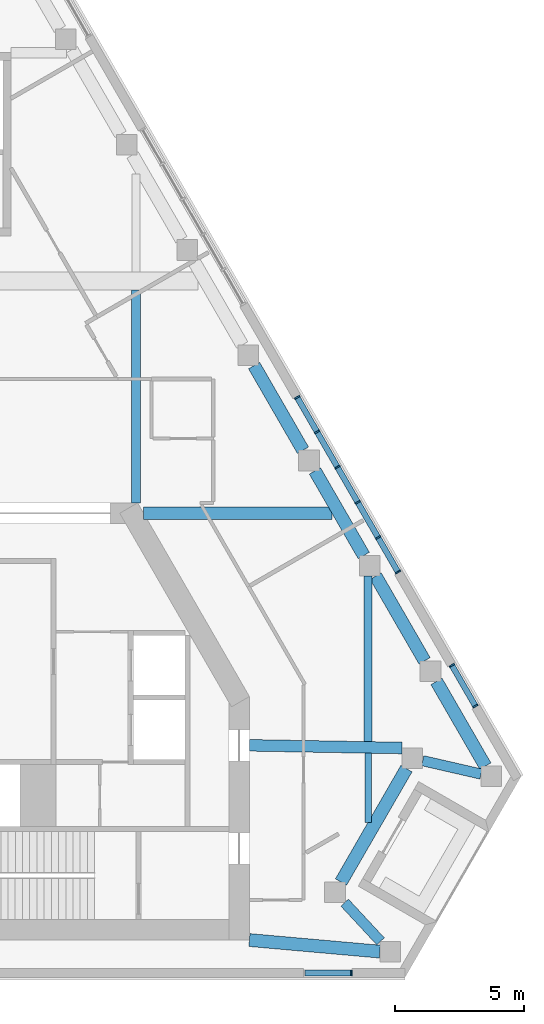
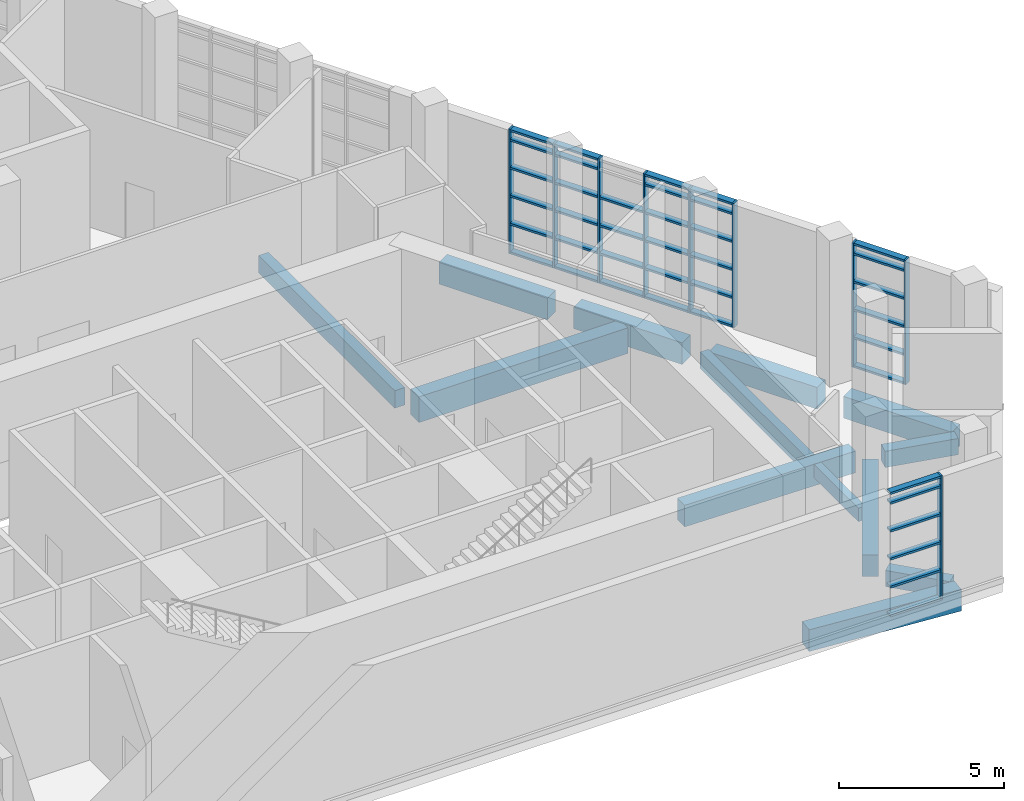
# One storey, part 4 of 13: 49 members, 13 beams, 3 elements without a shape of their own.
"""IFC4 building model written with IfcOpenShell, lengths in metres."""

from ifc_helpers import new_model, si_unit, direction, frame, origin, origin_2d, place, context, subcontext, project, spatial, rectangle, extrude, material, material_profile, profile_set, type_object, element, aggregate, save


model = new_model("IFC4")

# Units and contexts
model_context = context("Model", 3, precision=1e-05, world=origin(), true_north=direction((0.0, 1.0)))
body_context = subcontext(model_context, "Body", "Model", "MODEL_VIEW")
ifc_project = project(units=[si_unit("LENGTHUNIT", "METRE"), si_unit("AREAUNIT", "SQUARE_METRE"), si_unit("VOLUMEUNIT", "CUBIC_METRE"), si_unit("PLANEANGLEUNIT", "RADIAN"), si_unit("MASSUNIT", "GRAM", prefix="KILO")], contexts=[model_context])

# Site, building, storey
site_placement = place(None, origin())
site = spatial("IfcSite", under=ifc_project, at=site_placement, CompositionType="ELEMENT")
building_placement = place(site_placement, origin())
building = spatial("IfcBuilding", under=site, at=building_placement, Name="Fogline Exchange Tower", CompositionType="ELEMENT")
storey_placement = place(building_placement, frame((0.0, 0.0, 339.300048828125)))
storey = spatial("IfcBuildingStorey", under=building, at=storey_placement, Name="L77", CompositionType="ELEMENT", Elevation=339.300048828125)

# Beams
ifc_material_1 = material(Name="Concrete C40", Category="concrete")
ifc_material_profile_1 = material_profile(ifc_material_1, rectangle(XDim=0.300048828125, YDim=0.60009765625, at=origin_2d()), Name="RC 300x600")
ifc_profile_set_1 = profile_set([ifc_material_profile_1], Name="Concrete C40")
beam_type_1 = type_object("IfcBeamType", Name="B06", PredefinedType="BEAM", material=ifc_profile_set_1)
beam_1_placement = place(storey_placement, frame((18.0, 9.1435546875, -0.699951171875), z_axis=(0.0, 1.0, 0.0), x_axis=(-1.0, 0.0, 0.0)))
element("IfcBeam", 1, at=beam_1_placement, inside=storey, type_object=beam_type_1, Name="SB009", PredefinedType="BEAM", context=body_context, shape_type="SweptSolid", body=[
    extrude(rectangle(XDim=0.300048828125, YDim=0.60009765625, at=origin_2d()), origin(), (0.0, 0.0, 1.0), 6.416259765625),
])
ifc_material_profile_2 = material_profile(ifc_material_1, rectangle(XDim=0.25, YDim=0.5, at=origin_2d()), Name="RC 250x500")
ifc_profile_set_2 = profile_set([ifc_material_profile_2], Name="Concrete C40")
beam_type_2 = type_object("IfcBeamType", Name="B08", PredefinedType="BEAM", material=ifc_profile_set_2)
beam_2_placement = place(storey_placement, frame((18.0, 6.014404296875, -0.650146484375), z_axis=(0.0, 1.0, 0.0), x_axis=(-1.0, 0.0, 0.0)))
element("IfcBeam", 2, at=beam_2_placement, inside=storey, type_object=beam_type_2, Name="SB008", PredefinedType="BEAM", context=body_context, shape_type="SweptSolid", body=[
    extrude(rectangle(XDim=0.25, YDim=0.5, at=origin_2d()), origin(), (0.0, 0.0, 1.0), 2.67919921875),
])
ifc_material_profile_3 = material_profile(ifc_material_1, rectangle(XDim=0.5, YDim=0.800048828125, at=origin_2d()), Name="RC 500x800")
ifc_profile_set_3 = profile_set([ifc_material_profile_3], Name="Concrete C40")
beam_type_3 = type_object("IfcBeamType", Name="B10", PredefinedType="BEAM", material=ifc_profile_set_3)
beam_3_placement = place(storey_placement, frame((13.39990234375, 1.449951171875, -0.800048828125), z_axis=(0.996066324908, -0.088610814153, 0.0), x_axis=(0.088610814153, 0.996066324908, 0.0)))
element("IfcBeam", 3, at=beam_3_placement, inside=storey, type_object=beam_type_3, Name="RB005", PredefinedType="BEAM", context=body_context, shape_type="SweptSolid", body=[
    extrude(rectangle(XDim=0.5, YDim=0.800048828125, at=origin_2d()), origin(), (0.0, 0.0, 1.0), 5.077880859375),
])
beam_4_placement = place(storey_placement, frame((16.951904296875, 3.698974609375, -0.800048828125), z_axis=(0.499987508774, 0.866032615477, 0.0), x_axis=(-0.866032615477, 0.499987508774, 0.0)))
element("IfcBeam", 4, at=beam_4_placement, inside=storey, type_object=beam_type_3, Name="RB007", PredefinedType="BEAM", context=body_context, shape_type="SweptSolid", body=[
    extrude(rectangle(XDim=0.5, YDim=0.800048828125, at=origin_2d()), origin(), (0.0, 0.0, 1.0), 5.076416015625),
])
beam_5_placement = place(storey_placement, frame((22.54931640625, 8.194091796875, -0.800048828125), z_axis=(-0.499969613651, 0.86604294664, 0.0), x_axis=(-0.86604294664, -0.499969613651, 0.0)))
element("IfcBeam", 5, at=beam_5_placement, inside=storey, type_object=beam_type_3, Name="RB009", PredefinedType="BEAM", context=body_context, shape_type="SweptSolid", body=[
    extrude(rectangle(XDim=0.5, YDim=0.800048828125, at=origin_2d()), origin(), (0.0, 0.0, 1.0), 3.790771484375),
])
for number, where, z_axis, x_axis, name in (
    (6, (20.192138671875, 12.277099609375, -0.800048828125), (-0.499997501644, 0.866026846206, 0.0), (-0.866026846206, -0.499997501644, 0.0), "RB010"),
    (7, (17.8349609375, 16.35986328125, -0.800048828125), (-0.499997501644, 0.866026846206, 0.0), (-0.866026846206, -0.499997501644, 0.0), "RB011"),
    (8, (15.477783203125, 20.442626953125, -0.800048828125), (-0.499997501644, 0.866026846206, 0.0), (-0.866026846206, -0.499997501644, 0.0), "RB012"),
):
    element("IfcBeam", number, at=place(storey_placement, frame(where, z_axis=z_axis, x_axis=x_axis)), inside=storey, type_object=beam_type_3, Name=name, PredefinedType="BEAM", context=body_context, shape_type="SweptSolid", body=[
        extrude(rectangle(XDim=0.5, YDim=0.800048828125, at=origin_2d()), origin(), (0.0, 0.0, 1.0), 3.79052734375),
    ])
ifc_material_profile_4 = material_profile(ifc_material_1, rectangle(XDim=0.39990234375, YDim=0.60009765625, at=origin_2d()), Name="RC 400x600")
ifc_profile_set_4 = profile_set([ifc_material_profile_4], Name="Concrete C40")
beam_type_4 = type_object("IfcBeamType", Name="B11", PredefinedType="BEAM", material=ifc_profile_set_4)
beam_6_placement = place(storey_placement, frame((18.48583984375, 1.39990234375, -0.699951171875), z_axis=(-0.680743909802, 0.732521487239, 0.0), x_axis=(-0.732521487239, -0.680743909802, 0.0)))
element("IfcBeam", 9, at=beam_6_placement, inside=storey, type_object=beam_type_4, Name="RB006", PredefinedType="BEAM", context=body_context, shape_type="SweptSolid", body=[
    extrude(rectangle(XDim=0.39990234375, YDim=0.60009765625, at=origin_2d()), origin(), (0.0, 0.0, 1.0), 2.04638671875),
])
beam_7_placement = place(storey_placement, frame((20.120849609375, 8.403564453125, -0.699951171875), z_axis=(0.974753812703, -0.223282342834, 0.0), x_axis=(0.223282342834, 0.974753812703, 0.0)))
element("IfcBeam", 10, at=beam_7_placement, inside=storey, type_object=beam_type_4, Name="RB008", PredefinedType="BEAM", context=body_context, shape_type="SweptSolid", body=[
    extrude(rectangle(XDim=0.39990234375, YDim=0.60009765625, at=origin_2d()), origin(), (0.0, 0.0, 1.0), 2.318115234375),
])
ifc_material_profile_5 = material_profile(ifc_material_1, rectangle(XDim=0.5, YDim=0.949951171875, at=origin_2d()), Name="RC 500x950")
ifc_profile_set_5 = profile_set([ifc_material_profile_5], Name="Concrete C40")
beam_type_5 = type_object("IfcBeamType", Name="B14", PredefinedType="BEAM", material=ifc_profile_set_5)
beam_8_placement = place(storey_placement, frame((9.296142578125, 18.0, -0.875), z_axis=(1.0, 0.0, 0.0), x_axis=(0.0, 1.0, 0.0)))
element("IfcBeam", 11, at=beam_8_placement, inside=storey, type_object=beam_type_5, Name="GB004", PredefinedType="BEAM", context=body_context, shape_type="SweptSolid", body=[
    extrude(rectangle(XDim=0.5, YDim=0.949951171875, at=origin_2d()), origin(), (0.0, 0.0, 1.0), 7.30322265625),
])
ifc_material_profile_6 = material_profile(ifc_material_1, rectangle(XDim=0.35009765625, YDim=0.64990234375, at=origin_2d()), Name="RC 350x650")
ifc_profile_set_6 = profile_set([ifc_material_profile_6], Name="Concrete C40")
beam_type_6 = type_object("IfcBeamType", Name="B16", PredefinedType="BEAM", material=ifc_profile_set_6)
beam_9_placement = place(storey_placement, frame((9.0, 18.39990234375, -0.72509765625), z_axis=(0.0, 1.0, 0.0), x_axis=(-1.0, 0.0, 0.0)))
element("IfcBeam", 12, at=beam_9_placement, inside=storey, type_object=beam_type_6, Name="SB006", PredefinedType="BEAM", context=body_context, shape_type="SweptSolid", body=[
    extrude(rectangle(XDim=0.35009765625, YDim=0.64990234375, at=origin_2d()), origin(), (0.0, 0.0, 1.0), 8.25),
])
ifc_material_profile_7 = material_profile(ifc_material_1, rectangle(XDim=0.449951171875, YDim=0.800048828125, at=origin_2d()), Name="RC 450x800")
ifc_profile_set_7 = profile_set([ifc_material_profile_7], Name="Concrete C40")
beam_type_7 = type_object("IfcBeamType", Name="B18", PredefinedType="BEAM", material=ifc_profile_set_7)
beam_10_placement = place(storey_placement, frame((13.39990234375, 9.0, -0.800048828125), z_axis=(0.9998435817, -0.017686495817, 0.0), x_axis=(0.017686495817, 0.9998435817, 0.0)))
element("IfcBeam", 13, at=beam_10_placement, inside=storey, type_object=beam_type_7, Name="GB002", PredefinedType="BEAM", context=body_context, shape_type="SweptSolid", body=[
    extrude(rectangle(XDim=0.449951171875, YDim=0.800048828125, at=origin_2d()), origin(), (0.0, 0.0, 1.0), 5.921875),
])

# Curtain wall, member
ifc_material_2 = material(Name="Aluminium and glass", Category="aluminium")
curtain_wall_type = type_object("IfcCurtainWallType", Name="CW5", PredefinedType="NOTDEFINED", material=ifc_material_2)
curtain_wall_1_placement = place(storey_placement, origin())
curtain_wall_1 = element("IfcCurtainWall", 14, at=curtain_wall_1_placement, inside=storey, type_object=curtain_wall_type, Name="CW5 L77 S run 1", PredefinedType="NOTDEFINED")
ifc_material_3 = material(Name="Aluminium", Category="aluminium")
ifc_material_profile_8 = material_profile(ifc_material_3, rectangle(XDim=0.219970703125, YDim=0.06494140625, at=origin_2d()), Name="Mullion 65x220")
ifc_profile_set_8 = profile_set([ifc_material_profile_8], Name="Aluminium")
member_type_1 = type_object("IfcMemberType", Name="CW5-M", PredefinedType="MULLION", material=ifc_profile_set_8)
member_1_placement = place(storey_placement, frame((17.3525390625, 0.169921875, 0.0), z_axis=(0.0, 0.0, 1.0), x_axis=(0.0, 1.0, 0.0)))
member_1 = element("IfcMember", 15, at=member_1_placement, type_object=member_type_1, Name="CW5-T25-01 mullion 2", PredefinedType="MULLION", context=body_context, shape_type="SweptSolid", body=[
    extrude(rectangle(XDim=0.219970703125, YDim=0.06494140625, at=origin_2d()), origin(), (0.0, 0.0, 1.0), 4.599853515625),
])

# Curtain wall, members
curtain_wall_2_placement = place(storey_placement, origin())
curtain_wall_2 = element("IfcCurtainWall", 16, at=curtain_wall_2_placement, inside=storey, type_object=curtain_wall_type, Name="CW5 L77 E run 1", PredefinedType="NOTDEFINED")
member_2_placement = place(storey_placement, frame((22.162841796875, 10.52392578125, 0.0), z_axis=(0.0, 0.0, 1.0), x_axis=(-0.866025684137, -0.499999514416, 0.0)))
member_2 = element("IfcMember", 17, at=member_2_placement, type_object=member_type_1, Name="CW5-T25-02 mullion 1", PredefinedType="MULLION", context=body_context, shape_type="SweptSolid", body=[
    extrude(rectangle(XDim=0.219970703125, YDim=0.06494140625, at=origin_2d()), origin(), (0.0, 0.0, 1.0), 4.599853515625),
])
member_3_placement = place(storey_placement, frame((21.252685546875, 12.10009765625, 0.0), z_axis=(0.0, 0.0, 1.0), x_axis=(-0.866025684137, -0.499999514416, 0.0)))
member_3 = element("IfcMember", 18, at=member_3_placement, type_object=member_type_1, Name="CW5-T25-02 mullion 2", PredefinedType="MULLION", context=body_context, shape_type="SweptSolid", body=[
    extrude(rectangle(XDim=0.219970703125, YDim=0.06494140625, at=origin_2d()), origin(), (0.0, 0.0, 1.0), 4.599853515625),
])

curtain_wall_3_placement = place(storey_placement, origin())
curtain_wall_3 = element("IfcCurtainWall", 19, at=curtain_wall_3_placement, inside=storey, type_object=curtain_wall_type, Name="CW5 L77 E run 2", PredefinedType="NOTDEFINED")
member_4_placement = place(storey_placement, frame((19.162841796875, 15.719970703125, 0.0), z_axis=(0.0, 0.0, 1.0), x_axis=(-0.866025393993, -0.500000016959, 0.0)))
member_4 = element("IfcMember", 20, at=member_4_placement, type_object=member_type_1, Name="CW5-T25-03 mullion 1", PredefinedType="MULLION", context=body_context, shape_type="SweptSolid", body=[
    extrude(rectangle(XDim=0.219970703125, YDim=0.06494140625, at=origin_2d()), origin(), (0.0, 0.0, 1.0), 4.599853515625),
])
member_5_placement = place(storey_placement, frame((18.390625, 17.0576171875, 0.0), z_axis=(0.0, 0.0, 1.0), x_axis=(-0.866025393993, -0.500000016959, 0.0)))
member_5 = element("IfcMember", 21, at=member_5_placement, type_object=member_type_1, Name="CW5-T25-03 mullion 2", PredefinedType="MULLION", context=body_context, shape_type="SweptSolid", body=[
    extrude(rectangle(XDim=0.219970703125, YDim=0.06494140625, at=origin_2d()), origin(), (0.0, 0.0, 1.0), 4.599853515625),
])
member_6_placement = place(storey_placement, frame((17.60205078125, 18.42333984375, 0.0), z_axis=(0.0, 0.0, 1.0), x_axis=(-0.866025393993, -0.500000016959, 0.0)))
member_6 = element("IfcMember", 22, at=member_6_placement, type_object=member_type_1, Name="CW5-T25-03 mullion 3", PredefinedType="MULLION", context=body_context, shape_type="SweptSolid", body=[
    extrude(rectangle(XDim=0.219970703125, YDim=0.06494140625, at=origin_2d()), origin(), (0.0, 0.0, 1.0), 4.599853515625),
])
member_7_placement = place(storey_placement, frame((16.8134765625, 19.7890625, 0.0), z_axis=(0.0, 0.0, 1.0), x_axis=(-0.866025393993, -0.500000016959, 0.0)))
member_7 = element("IfcMember", 23, at=member_7_placement, type_object=member_type_1, Name="CW5-T25-03 mullion 4", PredefinedType="MULLION", context=body_context, shape_type="SweptSolid", body=[
    extrude(rectangle(XDim=0.219970703125, YDim=0.06494140625, at=origin_2d()), origin(), (0.0, 0.0, 1.0), 4.599853515625),
])
member_8_placement = place(storey_placement, frame((16.025146484375, 21.15478515625, 0.0), z_axis=(0.0, 0.0, 1.0), x_axis=(-0.866025393993, -0.500000016959, 0.0)))
member_8 = element("IfcMember", 24, at=member_8_placement, type_object=member_type_1, Name="CW5-T25-03 mullion 5", PredefinedType="MULLION", context=body_context, shape_type="SweptSolid", body=[
    extrude(rectangle(XDim=0.219970703125, YDim=0.06494140625, at=origin_2d()), origin(), (0.0, 0.0, 1.0), 4.599853515625),
])
member_9_placement = place(storey_placement, frame((15.252685546875, 22.4921875, 0.0), z_axis=(0.0, 0.0, 1.0), x_axis=(-0.866025393993, -0.500000016959, 0.0)))
member_9 = element("IfcMember", 25, at=member_9_placement, type_object=member_type_1, Name="CW5-T25-03 mullion 6", PredefinedType="MULLION", context=body_context, shape_type="SweptSolid", body=[
    extrude(rectangle(XDim=0.219970703125, YDim=0.06494140625, at=origin_2d()), origin(), (0.0, 0.0, 1.0), 4.599853515625),
])

# Member
ifc_material_profile_9 = material_profile(ifc_material_3, rectangle(XDim=0.219970703125, YDim=0.080078125, at=origin_2d()), Name="Transom 80x220")
ifc_profile_set_9 = profile_set([ifc_material_profile_9], Name="Aluminium")
member_type_2 = type_object("IfcMemberType", Name="CW5-T", PredefinedType="USERDEFINED", material=ifc_profile_set_9)
member_10_placement = place(storey_placement, frame((15.56494140625, 0.169921875, 0.0400390625), z_axis=(1.0, 0.0, 0.0), x_axis=(0.0, 1.0, 0.0)))
member_10 = element("IfcMember", 26, at=member_10_placement, type_object=member_type_2, Name="CW5-T25-01 transom 1.1", ObjectType="TRANSOM", PredefinedType="USERDEFINED", context=body_context, shape_type="SweptSolid", body=[
    extrude(rectangle(XDim=0.219970703125, YDim=0.080078125, at=origin_2d()), origin(), (0.0, 0.0, 1.0), 1.755126953125),
])

member_11_placement = place(storey_placement, frame((15.56494140625, 0.169921875, 1.099853515625), z_axis=(1.0, 0.0, 0.0), x_axis=(0.0, 1.0, 0.0)))
member_11 = element("IfcMember", 27, at=member_11_placement, type_object=member_type_2, Name="CW5-T25-01 transom 1.2", ObjectType="TRANSOM", PredefinedType="USERDEFINED", context=body_context, shape_type="SweptSolid", body=[
    extrude(rectangle(XDim=0.219970703125, YDim=0.080078125, at=origin_2d()), origin(), (0.0, 0.0, 1.0), 1.755126953125),
])

member_12_placement = place(storey_placement, frame((15.56494140625, 0.169921875, 2.13330078125), z_axis=(1.0, 0.0, 0.0), x_axis=(0.0, 1.0, 0.0)))
member_12 = element("IfcMember", 28, at=member_12_placement, type_object=member_type_2, Name="CW5-T25-01 transom 1.3", ObjectType="TRANSOM", PredefinedType="USERDEFINED", context=body_context, shape_type="SweptSolid", body=[
    extrude(rectangle(XDim=0.219970703125, YDim=0.080078125, at=origin_2d()), origin(), (0.0, 0.0, 1.0), 1.755126953125),
])

member_13_placement = place(storey_placement, frame((15.56494140625, 0.169921875, 3.166748046875), z_axis=(1.0, 0.0, 0.0), x_axis=(0.0, 1.0, 0.0)))
member_13 = element("IfcMember", 29, at=member_13_placement, type_object=member_type_2, Name="CW5-T25-01 transom 1.4", ObjectType="TRANSOM", PredefinedType="USERDEFINED", context=body_context, shape_type="SweptSolid", body=[
    extrude(rectangle(XDim=0.219970703125, YDim=0.080078125, at=origin_2d()), origin(), (0.0, 0.0, 1.0), 1.755126953125),
])

member_14_placement = place(storey_placement, frame((15.56494140625, 0.169921875, 4.199951171875), z_axis=(1.0, 0.0, 0.0), x_axis=(0.0, 1.0, 0.0)))
member_14 = element("IfcMember", 30, at=member_14_placement, type_object=member_type_2, Name="CW5-T25-01 transom 1.5", ObjectType="TRANSOM", PredefinedType="USERDEFINED", context=body_context, shape_type="SweptSolid", body=[
    extrude(rectangle(XDim=0.219970703125, YDim=0.080078125, at=origin_2d()), origin(), (0.0, 0.0, 1.0), 1.755126953125),
])

member_15_placement = place(storey_placement, frame((15.56494140625, 0.169921875, 4.56005859375), z_axis=(1.0, 0.0, 0.0), x_axis=(0.0, 1.0, 0.0)))
member_15 = element("IfcMember", 31, at=member_15_placement, type_object=member_type_2, Name="CW5-T25-01 transom 1.6", ObjectType="TRANSOM", PredefinedType="USERDEFINED", context=body_context, shape_type="SweptSolid", body=[
    extrude(rectangle(XDim=0.219970703125, YDim=0.080078125, at=origin_2d()), origin(), (0.0, 0.0, 1.0), 1.755126953125),
])

aggregate(curtain_wall_1, [member_1, member_10, member_11, member_12, member_13, member_14, member_15])

member_16_placement = place(storey_placement, frame((22.146484375, 10.552001953125, 0.0400390625), z_axis=(-0.499999433879, 0.866025730634, 0.0), x_axis=(-0.866025730634, -0.499999433879, 0.0)))
member_16 = element("IfcMember", 32, at=member_16_placement, type_object=member_type_2, Name="CW5-T25-02 transom 1.1", ObjectType="TRANSOM", PredefinedType="USERDEFINED", context=body_context, shape_type="SweptSolid", body=[
    extrude(rectangle(XDim=0.219970703125, YDim=0.080078125, at=origin_2d()), origin(), (0.0, 0.0, 1.0), 1.7548828125),
])

member_17_placement = place(storey_placement, frame((22.146484375, 10.552001953125, 1.099853515625), z_axis=(-0.499999433879, 0.866025730634, 0.0), x_axis=(-0.866025730634, -0.499999433879, 0.0)))
member_17 = element("IfcMember", 33, at=member_17_placement, type_object=member_type_2, Name="CW5-T25-02 transom 1.2", ObjectType="TRANSOM", PredefinedType="USERDEFINED", context=body_context, shape_type="SweptSolid", body=[
    extrude(rectangle(XDim=0.219970703125, YDim=0.080078125, at=origin_2d()), origin(), (0.0, 0.0, 1.0), 1.7548828125),
])

member_18_placement = place(storey_placement, frame((22.146484375, 10.552001953125, 2.13330078125), z_axis=(-0.499999433879, 0.866025730634, 0.0), x_axis=(-0.866025730634, -0.499999433879, 0.0)))
member_18 = element("IfcMember", 34, at=member_18_placement, type_object=member_type_2, Name="CW5-T25-02 transom 1.3", ObjectType="TRANSOM", PredefinedType="USERDEFINED", context=body_context, shape_type="SweptSolid", body=[
    extrude(rectangle(XDim=0.219970703125, YDim=0.080078125, at=origin_2d()), origin(), (0.0, 0.0, 1.0), 1.7548828125),
])

member_19_placement = place(storey_placement, frame((22.146484375, 10.552001953125, 3.166748046875), z_axis=(-0.499999433879, 0.866025730634, 0.0), x_axis=(-0.866025730634, -0.499999433879, 0.0)))
member_19 = element("IfcMember", 35, at=member_19_placement, type_object=member_type_2, Name="CW5-T25-02 transom 1.4", ObjectType="TRANSOM", PredefinedType="USERDEFINED", context=body_context, shape_type="SweptSolid", body=[
    extrude(rectangle(XDim=0.219970703125, YDim=0.080078125, at=origin_2d()), origin(), (0.0, 0.0, 1.0), 1.7548828125),
])

member_20_placement = place(storey_placement, frame((22.146484375, 10.552001953125, 4.199951171875), z_axis=(-0.499999433879, 0.866025730634, 0.0), x_axis=(-0.866025730634, -0.499999433879, 0.0)))
member_20 = element("IfcMember", 36, at=member_20_placement, type_object=member_type_2, Name="CW5-T25-02 transom 1.5", ObjectType="TRANSOM", PredefinedType="USERDEFINED", context=body_context, shape_type="SweptSolid", body=[
    extrude(rectangle(XDim=0.219970703125, YDim=0.080078125, at=origin_2d()), origin(), (0.0, 0.0, 1.0), 1.7548828125),
])

member_21_placement = place(storey_placement, frame((22.146484375, 10.552001953125, 4.56005859375), z_axis=(-0.499999433879, 0.866025730634, 0.0), x_axis=(-0.866025730634, -0.499999433879, 0.0)))
member_21 = element("IfcMember", 37, at=member_21_placement, type_object=member_type_2, Name="CW5-T25-02 transom 1.6", ObjectType="TRANSOM", PredefinedType="USERDEFINED", context=body_context, shape_type="SweptSolid", body=[
    extrude(rectangle(XDim=0.219970703125, YDim=0.080078125, at=origin_2d()), origin(), (0.0, 0.0, 1.0), 1.7548828125),
])

aggregate(curtain_wall_2, [member_2, member_3, member_16, member_17, member_18, member_19, member_20, member_21])

member_22_placement = place(storey_placement, frame((19.146484375, 15.748046875, 0.0400390625), z_axis=(-0.500008142102, 0.866020702889, 0.0), x_axis=(-0.866020702889, -0.500008142102, 0.0)))
member_22 = element("IfcMember", 38, at=member_22_placement, type_object=member_type_2, Name="CW5-T25-03 transom 1.1", ObjectType="TRANSOM", PredefinedType="USERDEFINED", context=body_context, shape_type="SweptSolid", body=[
    extrude(rectangle(XDim=0.219970703125, YDim=0.080078125, at=origin_2d()), origin(), (0.0, 0.0, 1.0), 1.4794921875),
])

member_23_placement = place(storey_placement, frame((19.146484375, 15.748046875, 1.099853515625), z_axis=(-0.500008142102, 0.866020702889, 0.0), x_axis=(-0.866020702889, -0.500008142102, 0.0)))
member_23 = element("IfcMember", 39, at=member_23_placement, type_object=member_type_2, Name="CW5-T25-03 transom 1.2", ObjectType="TRANSOM", PredefinedType="USERDEFINED", context=body_context, shape_type="SweptSolid", body=[
    extrude(rectangle(XDim=0.219970703125, YDim=0.080078125, at=origin_2d()), origin(), (0.0, 0.0, 1.0), 1.4794921875),
])

member_24_placement = place(storey_placement, frame((19.146484375, 15.748046875, 2.13330078125), z_axis=(-0.500008142102, 0.866020702889, 0.0), x_axis=(-0.866020702889, -0.500008142102, 0.0)))
member_24 = element("IfcMember", 40, at=member_24_placement, type_object=member_type_2, Name="CW5-T25-03 transom 1.3", ObjectType="TRANSOM", PredefinedType="USERDEFINED", context=body_context, shape_type="SweptSolid", body=[
    extrude(rectangle(XDim=0.219970703125, YDim=0.080078125, at=origin_2d()), origin(), (0.0, 0.0, 1.0), 1.4794921875),
])

member_25_placement = place(storey_placement, frame((19.146484375, 15.748046875, 3.166748046875), z_axis=(-0.500008142102, 0.866020702889, 0.0), x_axis=(-0.866020702889, -0.500008142102, 0.0)))
member_25 = element("IfcMember", 41, at=member_25_placement, type_object=member_type_2, Name="CW5-T25-03 transom 1.4", ObjectType="TRANSOM", PredefinedType="USERDEFINED", context=body_context, shape_type="SweptSolid", body=[
    extrude(rectangle(XDim=0.219970703125, YDim=0.080078125, at=origin_2d()), origin(), (0.0, 0.0, 1.0), 1.4794921875),
])

member_26_placement = place(storey_placement, frame((19.146484375, 15.748046875, 4.199951171875), z_axis=(-0.500008142102, 0.866020702889, 0.0), x_axis=(-0.866020702889, -0.500008142102, 0.0)))
member_26 = element("IfcMember", 42, at=member_26_placement, type_object=member_type_2, Name="CW5-T25-03 transom 1.5", ObjectType="TRANSOM", PredefinedType="USERDEFINED", context=body_context, shape_type="SweptSolid", body=[
    extrude(rectangle(XDim=0.219970703125, YDim=0.080078125, at=origin_2d()), origin(), (0.0, 0.0, 1.0), 1.4794921875),
])

member_27_placement = place(storey_placement, frame((19.146484375, 15.748046875, 4.56005859375), z_axis=(-0.500008142102, 0.866020702889, 0.0), x_axis=(-0.866020702889, -0.500008142102, 0.0)))
member_27 = element("IfcMember", 43, at=member_27_placement, type_object=member_type_2, Name="CW5-T25-03 transom 1.6", ObjectType="TRANSOM", PredefinedType="USERDEFINED", context=body_context, shape_type="SweptSolid", body=[
    extrude(rectangle(XDim=0.219970703125, YDim=0.080078125, at=origin_2d()), origin(), (0.0, 0.0, 1.0), 1.4794921875),
])

member_28_placement = place(storey_placement, frame((18.374267578125, 17.085693359375, 0.0400390625), z_axis=(-0.500081199194, 0.865978518332, 0.0), x_axis=(-0.865978518332, -0.500081199194, 0.0)))
member_28 = element("IfcMember", 44, at=member_28_placement, type_object=member_type_2, Name="CW5-T25-03 transom 2.1", ObjectType="TRANSOM", PredefinedType="USERDEFINED", context=body_context, shape_type="SweptSolid", body=[
    extrude(rectangle(XDim=0.219970703125, YDim=0.080078125, at=origin_2d()), origin(), (0.0, 0.0, 1.0), 1.511962890625),
])

member_29_placement = place(storey_placement, frame((18.374267578125, 17.085693359375, 1.099853515625), z_axis=(-0.500081199194, 0.865978518332, 0.0), x_axis=(-0.865978518332, -0.500081199194, 0.0)))
member_29 = element("IfcMember", 45, at=member_29_placement, type_object=member_type_2, Name="CW5-T25-03 transom 2.2", ObjectType="TRANSOM", PredefinedType="USERDEFINED", context=body_context, shape_type="SweptSolid", body=[
    extrude(rectangle(XDim=0.219970703125, YDim=0.080078125, at=origin_2d()), origin(), (0.0, 0.0, 1.0), 1.511962890625),
])

member_30_placement = place(storey_placement, frame((18.374267578125, 17.085693359375, 2.13330078125), z_axis=(-0.500081199194, 0.865978518332, 0.0), x_axis=(-0.865978518332, -0.500081199194, 0.0)))
member_30 = element("IfcMember", 46, at=member_30_placement, type_object=member_type_2, Name="CW5-T25-03 transom 2.3", ObjectType="TRANSOM", PredefinedType="USERDEFINED", context=body_context, shape_type="SweptSolid", body=[
    extrude(rectangle(XDim=0.219970703125, YDim=0.080078125, at=origin_2d()), origin(), (0.0, 0.0, 1.0), 1.511962890625),
])

member_31_placement = place(storey_placement, frame((18.374267578125, 17.085693359375, 3.166748046875), z_axis=(-0.500081199194, 0.865978518332, 0.0), x_axis=(-0.865978518332, -0.500081199194, 0.0)))
member_31 = element("IfcMember", 47, at=member_31_placement, type_object=member_type_2, Name="CW5-T25-03 transom 2.4", ObjectType="TRANSOM", PredefinedType="USERDEFINED", context=body_context, shape_type="SweptSolid", body=[
    extrude(rectangle(XDim=0.219970703125, YDim=0.080078125, at=origin_2d()), origin(), (0.0, 0.0, 1.0), 1.511962890625),
])

member_32_placement = place(storey_placement, frame((18.374267578125, 17.085693359375, 4.199951171875), z_axis=(-0.500081199194, 0.865978518332, 0.0), x_axis=(-0.865978518332, -0.500081199194, 0.0)))
member_32 = element("IfcMember", 48, at=member_32_placement, type_object=member_type_2, Name="CW5-T25-03 transom 2.5", ObjectType="TRANSOM", PredefinedType="USERDEFINED", context=body_context, shape_type="SweptSolid", body=[
    extrude(rectangle(XDim=0.219970703125, YDim=0.080078125, at=origin_2d()), origin(), (0.0, 0.0, 1.0), 1.511962890625),
])

member_33_placement = place(storey_placement, frame((18.374267578125, 17.085693359375, 4.56005859375), z_axis=(-0.500081199194, 0.865978518332, 0.0), x_axis=(-0.865978518332, -0.500081199194, 0.0)))
member_33 = element("IfcMember", 49, at=member_33_placement, type_object=member_type_2, Name="CW5-T25-03 transom 2.6", ObjectType="TRANSOM", PredefinedType="USERDEFINED", context=body_context, shape_type="SweptSolid", body=[
    extrude(rectangle(XDim=0.219970703125, YDim=0.080078125, at=origin_2d()), origin(), (0.0, 0.0, 1.0), 1.511962890625),
])

member_34_placement = place(storey_placement, frame((17.585693359375, 18.451416015625, 0.0400390625), z_axis=(-0.499960093054, 0.866048442845, 0.0), x_axis=(-0.866048442845, -0.499960093054, 0.0)))
member_34 = element("IfcMember", 50, at=member_34_placement, type_object=member_type_2, Name="CW5-T25-03 transom 3.1", ObjectType="TRANSOM", PredefinedType="USERDEFINED", context=body_context, shape_type="SweptSolid", body=[
    extrude(rectangle(XDim=0.219970703125, YDim=0.080078125, at=origin_2d()), origin(), (0.0, 0.0, 1.0), 1.51171875),
])

member_35_placement = place(storey_placement, frame((17.585693359375, 18.451416015625, 1.099853515625), z_axis=(-0.499960093054, 0.866048442845, 0.0), x_axis=(-0.866048442845, -0.499960093054, 0.0)))
member_35 = element("IfcMember", 51, at=member_35_placement, type_object=member_type_2, Name="CW5-T25-03 transom 3.2", ObjectType="TRANSOM", PredefinedType="USERDEFINED", context=body_context, shape_type="SweptSolid", body=[
    extrude(rectangle(XDim=0.219970703125, YDim=0.080078125, at=origin_2d()), origin(), (0.0, 0.0, 1.0), 1.51171875),
])

member_36_placement = place(storey_placement, frame((17.585693359375, 18.451416015625, 2.13330078125), z_axis=(-0.499960093054, 0.866048442845, 0.0), x_axis=(-0.866048442845, -0.499960093054, 0.0)))
member_36 = element("IfcMember", 52, at=member_36_placement, type_object=member_type_2, Name="CW5-T25-03 transom 3.3", ObjectType="TRANSOM", PredefinedType="USERDEFINED", context=body_context, shape_type="SweptSolid", body=[
    extrude(rectangle(XDim=0.219970703125, YDim=0.080078125, at=origin_2d()), origin(), (0.0, 0.0, 1.0), 1.51171875),
])

member_37_placement = place(storey_placement, frame((17.585693359375, 18.451416015625, 3.166748046875), z_axis=(-0.499960093054, 0.866048442845, 0.0), x_axis=(-0.866048442845, -0.499960093054, 0.0)))
member_37 = element("IfcMember", 53, at=member_37_placement, type_object=member_type_2, Name="CW5-T25-03 transom 3.4", ObjectType="TRANSOM", PredefinedType="USERDEFINED", context=body_context, shape_type="SweptSolid", body=[
    extrude(rectangle(XDim=0.219970703125, YDim=0.080078125, at=origin_2d()), origin(), (0.0, 0.0, 1.0), 1.51171875),
])

member_38_placement = place(storey_placement, frame((16.79736328125, 19.817138671875, 0.0400390625), z_axis=(-0.500081199194, 0.865978518332, 0.0), x_axis=(-0.865978518332, -0.500081199194, 0.0)))
member_38 = element("IfcMember", 54, at=member_38_placement, type_object=member_type_2, Name="CW5-T25-03 transom 4.1", ObjectType="TRANSOM", PredefinedType="USERDEFINED", context=body_context, shape_type="SweptSolid", body=[
    extrude(rectangle(XDim=0.219970703125, YDim=0.080078125, at=origin_2d()), origin(), (0.0, 0.0, 1.0), 1.511962890625),
])

member_39_placement = place(storey_placement, frame((16.79736328125, 19.817138671875, 1.099853515625), z_axis=(-0.500081199194, 0.865978518332, 0.0), x_axis=(-0.865978518332, -0.500081199194, 0.0)))
member_39 = element("IfcMember", 55, at=member_39_placement, type_object=member_type_2, Name="CW5-T25-03 transom 4.2", ObjectType="TRANSOM", PredefinedType="USERDEFINED", context=body_context, shape_type="SweptSolid", body=[
    extrude(rectangle(XDim=0.219970703125, YDim=0.080078125, at=origin_2d()), origin(), (0.0, 0.0, 1.0), 1.511962890625),
])

member_40_placement = place(storey_placement, frame((16.79736328125, 19.817138671875, 2.13330078125), z_axis=(-0.500081199194, 0.865978518332, 0.0), x_axis=(-0.865978518332, -0.500081199194, 0.0)))
member_40 = element("IfcMember", 56, at=member_40_placement, type_object=member_type_2, Name="CW5-T25-03 transom 4.3", ObjectType="TRANSOM", PredefinedType="USERDEFINED", context=body_context, shape_type="SweptSolid", body=[
    extrude(rectangle(XDim=0.219970703125, YDim=0.080078125, at=origin_2d()), origin(), (0.0, 0.0, 1.0), 1.511962890625),
])

member_41_placement = place(storey_placement, frame((16.79736328125, 19.817138671875, 3.166748046875), z_axis=(-0.500081199194, 0.865978518332, 0.0), x_axis=(-0.865978518332, -0.500081199194, 0.0)))
member_41 = element("IfcMember", 57, at=member_41_placement, type_object=member_type_2, Name="CW5-T25-03 transom 4.4", ObjectType="TRANSOM", PredefinedType="USERDEFINED", context=body_context, shape_type="SweptSolid", body=[
    extrude(rectangle(XDim=0.219970703125, YDim=0.080078125, at=origin_2d()), origin(), (0.0, 0.0, 1.0), 1.511962890625),
])

member_42_placement = place(storey_placement, frame((16.79736328125, 19.817138671875, 4.199951171875), z_axis=(-0.500081199194, 0.865978518332, 0.0), x_axis=(-0.865978518332, -0.500081199194, 0.0)))
member_42 = element("IfcMember", 58, at=member_42_placement, type_object=member_type_2, Name="CW5-T25-03 transom 4.5", ObjectType="TRANSOM", PredefinedType="USERDEFINED", context=body_context, shape_type="SweptSolid", body=[
    extrude(rectangle(XDim=0.219970703125, YDim=0.080078125, at=origin_2d()), origin(), (0.0, 0.0, 1.0), 1.511962890625),
])

member_43_placement = place(storey_placement, frame((16.79736328125, 19.817138671875, 4.56005859375), z_axis=(-0.500081199194, 0.865978518332, 0.0), x_axis=(-0.865978518332, -0.500081199194, 0.0)))
member_43 = element("IfcMember", 59, at=member_43_placement, type_object=member_type_2, Name="CW5-T25-03 transom 4.6", ObjectType="TRANSOM", PredefinedType="USERDEFINED", context=body_context, shape_type="SweptSolid", body=[
    extrude(rectangle(XDim=0.219970703125, YDim=0.080078125, at=origin_2d()), origin(), (0.0, 0.0, 1.0), 1.511962890625),
])

member_44_placement = place(storey_placement, frame((16.0087890625, 21.182861328125, 0.0400390625), z_axis=(-0.500008142102, 0.866020702889, 0.0), x_axis=(-0.866020702889, -0.500008142102, 0.0)))
member_44 = element("IfcMember", 60, at=member_44_placement, type_object=member_type_2, Name="CW5-T25-03 transom 5.1", ObjectType="TRANSOM", PredefinedType="USERDEFINED", context=body_context, shape_type="SweptSolid", body=[
    extrude(rectangle(XDim=0.219970703125, YDim=0.080078125, at=origin_2d()), origin(), (0.0, 0.0, 1.0), 1.4794921875),
])

member_45_placement = place(storey_placement, frame((16.0087890625, 21.182861328125, 1.099853515625), z_axis=(-0.500008142102, 0.866020702889, 0.0), x_axis=(-0.866020702889, -0.500008142102, 0.0)))
member_45 = element("IfcMember", 61, at=member_45_placement, type_object=member_type_2, Name="CW5-T25-03 transom 5.2", ObjectType="TRANSOM", PredefinedType="USERDEFINED", context=body_context, shape_type="SweptSolid", body=[
    extrude(rectangle(XDim=0.219970703125, YDim=0.080078125, at=origin_2d()), origin(), (0.0, 0.0, 1.0), 1.4794921875),
])

member_46_placement = place(storey_placement, frame((16.0087890625, 21.182861328125, 2.13330078125), z_axis=(-0.500008142102, 0.866020702889, 0.0), x_axis=(-0.866020702889, -0.500008142102, 0.0)))
member_46 = element("IfcMember", 62, at=member_46_placement, type_object=member_type_2, Name="CW5-T25-03 transom 5.3", ObjectType="TRANSOM", PredefinedType="USERDEFINED", context=body_context, shape_type="SweptSolid", body=[
    extrude(rectangle(XDim=0.219970703125, YDim=0.080078125, at=origin_2d()), origin(), (0.0, 0.0, 1.0), 1.4794921875),
])

member_47_placement = place(storey_placement, frame((16.0087890625, 21.182861328125, 3.166748046875), z_axis=(-0.500008142102, 0.866020702889, 0.0), x_axis=(-0.866020702889, -0.500008142102, 0.0)))
member_47 = element("IfcMember", 63, at=member_47_placement, type_object=member_type_2, Name="CW5-T25-03 transom 5.4", ObjectType="TRANSOM", PredefinedType="USERDEFINED", context=body_context, shape_type="SweptSolid", body=[
    extrude(rectangle(XDim=0.219970703125, YDim=0.080078125, at=origin_2d()), origin(), (0.0, 0.0, 1.0), 1.4794921875),
])

member_48_placement = place(storey_placement, frame((16.0087890625, 21.182861328125, 4.199951171875), z_axis=(-0.500008142102, 0.866020702889, 0.0), x_axis=(-0.866020702889, -0.500008142102, 0.0)))
member_48 = element("IfcMember", 64, at=member_48_placement, type_object=member_type_2, Name="CW5-T25-03 transom 5.5", ObjectType="TRANSOM", PredefinedType="USERDEFINED", context=body_context, shape_type="SweptSolid", body=[
    extrude(rectangle(XDim=0.219970703125, YDim=0.080078125, at=origin_2d()), origin(), (0.0, 0.0, 1.0), 1.4794921875),
])

member_49_placement = place(storey_placement, frame((16.0087890625, 21.182861328125, 4.56005859375), z_axis=(-0.500008142102, 0.866020702889, 0.0), x_axis=(-0.866020702889, -0.500008142102, 0.0)))
member_49 = element("IfcMember", 65, at=member_49_placement, type_object=member_type_2, Name="CW5-T25-03 transom 5.6", ObjectType="TRANSOM", PredefinedType="USERDEFINED", context=body_context, shape_type="SweptSolid", body=[
    extrude(rectangle(XDim=0.219970703125, YDim=0.080078125, at=origin_2d()), origin(), (0.0, 0.0, 1.0), 1.4794921875),
])

aggregate(curtain_wall_3, [member_4, member_5, member_6, member_7, member_8, member_9, member_22, member_23, member_24, member_25, member_26, member_27, member_28, member_29, member_30, member_31, member_32, member_33, member_34, member_35, member_36, member_37, member_38, member_39, member_40, member_41, member_42, member_43, member_44, member_45, member_46, member_47, member_48, member_49])

save(model, "model.ifc")
